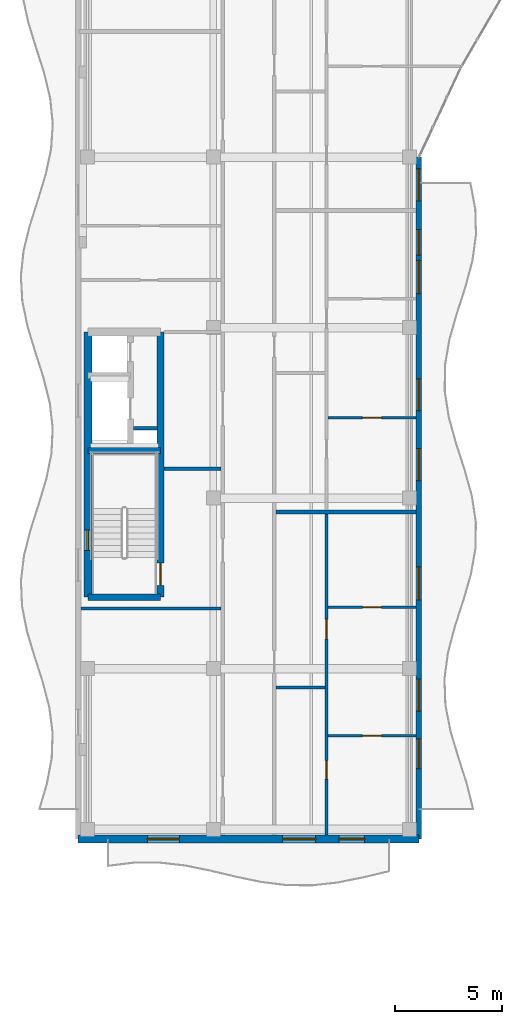
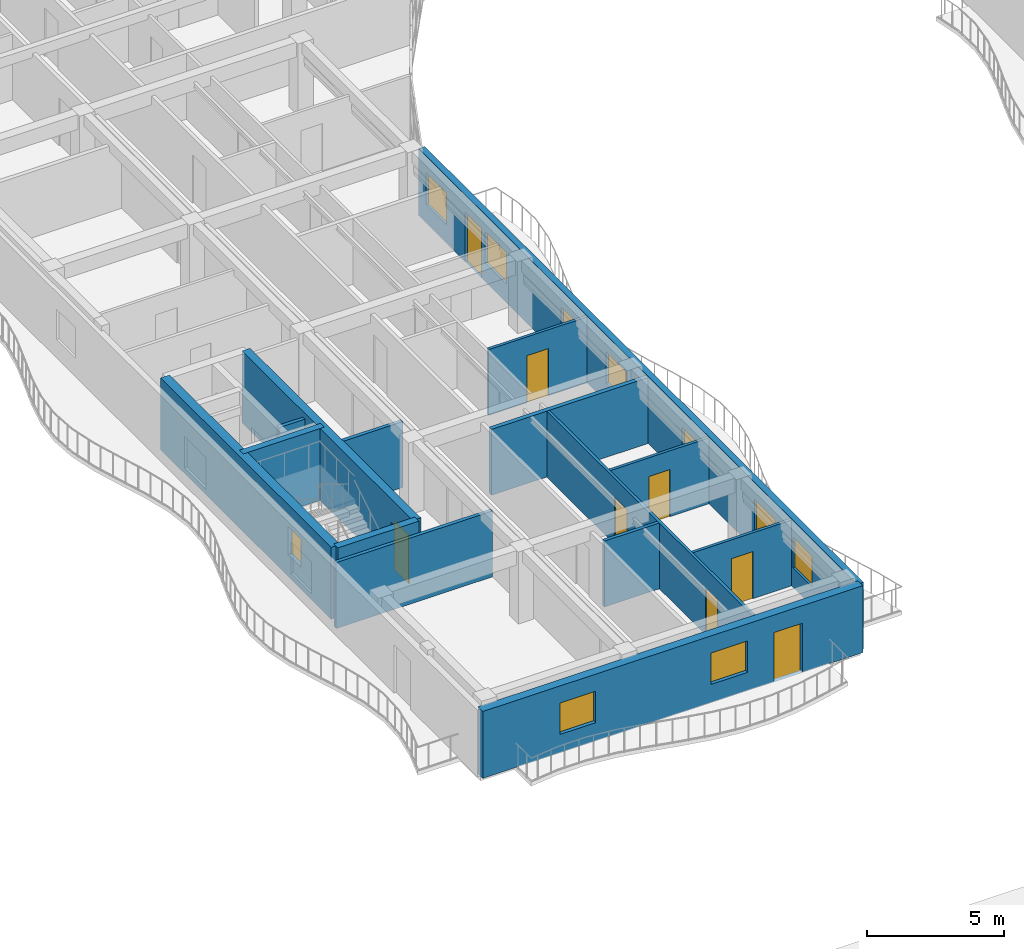
# One storey, part 45 of 89: 15 walls, 10 windows, 8 doors, 18 openings.
"""IFC4 building model written with IfcOpenShell, lengths in metres."""

from ifc_helpers import new_model, si_unit, direction, frame, frame_2d, origin, place, context, subcontext, project, spatial, rectangle, extrude, material, layer, layer_set, type_object, element, fill, save


model = new_model("IFC4")

# Units and contexts
model_context = context("Model", 3, precision=1e-05, world=origin(), true_north=direction((0.0, 1.0)))
body_context = subcontext(model_context, "Body", "Model", "MODEL_VIEW")
ifc_project = project(units=[si_unit("LENGTHUNIT", "METRE"), si_unit("AREAUNIT", "SQUARE_METRE"), si_unit("VOLUMEUNIT", "CUBIC_METRE"), si_unit("PLANEANGLEUNIT", "RADIAN"), si_unit("MASSUNIT", "GRAM", prefix="KILO")], contexts=[model_context])

# Site, building, storey
site_placement = place(None, origin())
site = spatial("IfcSite", under=ifc_project, at=site_placement, CompositionType="ELEMENT")
building_placement = place(site_placement, origin())
building = spatial("IfcBuilding", under=site, at=building_placement, Name="Keldmere Railside Commons", CompositionType="ELEMENT")
storey_placement = place(building_placement, frame((0.0, 0.0, 7.360107421875)))
storey = spatial("IfcBuildingStorey", under=building, at=storey_placement, Name="L02", CompositionType="ELEMENT", Elevation=7.360107421875)

# Wall
ifc_material_1 = material(Name="Acoustic Gypsum Board Partition", Category="gypsum")
ifc_layer_1 = layer(ifc_material_1, 0.179931640625, Name="Acoustic Demising Partition 180")
ifc_layer_set_1 = layer_set([ifc_layer_1], Name="Acoustic Gypsum Board Partition")
wall_type_1 = type_object("IfcWallType", Name="Acoustic Demising Partition 180", PredefinedType="PARTITIONING", material=ifc_layer_set_1)
wall_1_placement = place(storey_placement, frame((17.280029296875, 71.340087890625, 0.0), z_axis=(0.0, 0.0, 1.0), x_axis=(1.0, 0.0, 0.0)))
element("IfcWall", 1, at=wall_1_placement, inside=storey, type_object=wall_type_1, Name="IW-1 IW-L02-0254", PredefinedType="PARTITIONING", context=body_context, shape_type="SweptSolid", body=[
    extrude(rectangle(XDim=6.590087890625, YDim=0.179931640625, at=frame_2d((3.294921875, 0.0))), origin(), (0.0, 0.0, 1.0), 2.934814453125),
])

# Wall, openings, doors
ifc_layer_2 = layer(ifc_material_1, 0.1201171875, Name="Apartment Interior Partition 120")
ifc_layer_set_2 = layer_set([ifc_layer_2], Name="Acoustic Gypsum Board Partition")
wall_type_2 = type_object("IfcWallType", Name="Apartment Interior Partition 120", PredefinedType="PARTITIONING", material=ifc_layer_set_2)
wall_2_placement = place(storey_placement, frame((19.659912109375, 56.179931640625, 0.0), z_axis=(0.0, 0.0, 1.0), x_axis=(0.0, 1.0, 0.0)))
wall_2 = element("IfcWall", 2, at=wall_2_placement, inside=storey, type_object=wall_type_2, Name="IW-4 IW-L02-0257", PredefinedType="PARTITIONING", context=body_context, shape_type="SweptSolid", body=[
    extrude(rectangle(XDim=15.070068359375, YDim=0.1201171875, at=frame_2d((7.53515625, 0.0))), origin(), (0.0, 0.0, 1.0), 2.934814453125),
])
opening_1_placement = place(wall_2_placement, frame((2.63330078125, 0.0, 0.0)))
opening_1 = element("IfcOpeningElement", 3, at=opening_1_placement, cuts=wall_2, Name="Opening ID-04", PredefinedType="OPENING", context=body_context, shape_type="SweptSolid", body=[
    extrude(rectangle(XDim=0.860107421875, YDim=2.10009765625, at=frame_2d((0.43017578125, 1.050048828125))), frame((0.0, 0.070068359375, 0.0), z_axis=(0.0, -1.0, 0.0), x_axis=(1.0, 0.0, 0.0)), (0.0, 0.0, 1.0), 0.14013671875),
])
opening_2_placement = place(wall_2_placement, frame((9.209228515625, 0.0, 0.0)))
opening_2 = element("IfcOpeningElement", 4, at=opening_2_placement, cuts=wall_2, Name="Opening ID-03", PredefinedType="OPENING", context=body_context, shape_type="SweptSolid", body=[
    extrude(rectangle(XDim=0.919921875, YDim=2.10009765625, at=frame_2d((0.4599609375, 1.050048828125))), frame((0.0, 0.070068359375, 0.0), z_axis=(0.0, -1.0, 0.0), x_axis=(1.0, 0.0, 0.0)), (0.0, 0.0, 1.0), 0.14013671875),
])
ifc_material_2 = material(Name="Engineered Oak Timber", Category="wood")
door_type_1 = type_object("IfcDoorType", Name="Apartment Bathroom Door 860x2100", OperationType="NOTDEFINED", PredefinedType="DOOR", material=ifc_material_2)
door_1_placement = place(opening_1_placement, origin())
door_1 = element("IfcDoor", 5, at=door_1_placement, inside=storey, type_object=door_type_1, Name="ID-04 IDR-L02-0160", OperationType="SINGLE_SWING_RIGHT", OverallHeight=2.10009765625, OverallWidth=0.860107421875, PredefinedType="DOOR", context=body_context, shape_type="SweptSolid", body=[
    extrude(rectangle(XDim=0.860107421875, YDim=2.10009765625, at=frame_2d((0.43017578125, 1.050048828125))), frame((0.0, 0.02490234375, 0.0), z_axis=(0.0, -1.0, 0.0), x_axis=(1.0, 0.0, 0.0)), (0.0, 0.0, 1.0), 0.050048828125),
])
fill(opening_1, door_1)
door_type_2 = type_object("IfcDoorType", Name="Kitchen Pocket-Frame Swing Door 920x2100", OperationType="NOTDEFINED", PredefinedType="DOOR", material=ifc_material_2)
door_2_placement = place(opening_2_placement, origin())
door_2 = element("IfcDoor", 6, at=door_2_placement, inside=storey, type_object=door_type_2, Name="ID-03 IDR-L02-0161", OperationType="SINGLE_SWING_LEFT", OverallHeight=2.10009765625, OverallWidth=0.919921875, PredefinedType="DOOR", context=body_context, shape_type="SweptSolid", body=[
    extrude(rectangle(XDim=0.919921875, YDim=2.10009765625, at=frame_2d((0.4599609375, 1.050048828125))), frame((0.0, 0.02490234375, 0.0), z_axis=(0.0, -1.0, 0.0), x_axis=(1.0, 0.0, 0.0)), (0.0, 0.0, 1.0), 0.050048828125),
])
fill(opening_2, door_2)

# Wall, opening, door
wall_3_placement = place(storey_placement, frame((19.719970703125, 60.85009765625, 0.0), z_axis=(0.0, 0.0, 1.0), x_axis=(1.0, 0.0, 0.0)))
wall_3 = element("IfcWall", 7, at=wall_3_placement, inside=storey, type_object=wall_type_2, Name="IW-4 IW-L02-0259", PredefinedType="PARTITIONING", context=body_context, shape_type="SweptSolid", body=[
    extrude(rectangle(XDim=4.150146484375, YDim=0.1201171875, at=frame_2d((2.0751953125, 0.0))), origin(), (0.0, 0.0, 1.0), 2.934814453125),
])
opening_3_placement = place(wall_3_placement, frame((1.625, 0.0, 0.0)))
opening_3 = element("IfcOpeningElement", 8, at=opening_3_placement, cuts=wall_3, Name="Opening ID-01", PredefinedType="OPENING", context=body_context, shape_type="SweptSolid", body=[
    extrude(rectangle(XDim=0.89990234375, YDim=2.10009765625, at=frame_2d((0.449951171875, 1.050048828125))), frame((0.0, 0.070068359375, 0.0), z_axis=(0.0, -1.0, 0.0), x_axis=(1.0, 0.0, 0.0)), (0.0, 0.0, 1.0), 0.14013671875),
])
door_type_3 = type_object("IfcDoorType", Name="Primary Bedroom Door 900x2100", OperationType="NOTDEFINED", PredefinedType="DOOR", material=ifc_material_2)
door_3_placement = place(opening_3_placement, origin())
door_3 = element("IfcDoor", 9, at=door_3_placement, inside=storey, type_object=door_type_3, Name="ID-01 IDR-L02-0163", OperationType="SINGLE_SWING_LEFT", OverallHeight=2.10009765625, OverallWidth=0.89990234375, PredefinedType="DOOR", context=body_context, shape_type="SweptSolid", body=[
    extrude(rectangle(XDim=0.89990234375, YDim=2.10009765625, at=frame_2d((0.449951171875, 1.050048828125))), frame((0.0, 0.02490234375, 0.0), z_axis=(0.0, -1.0, 0.0), x_axis=(1.0, 0.0, 0.0)), (0.0, 0.0, 1.0), 0.050048828125),
])
fill(opening_3, door_3)

wall_4_placement = place(storey_placement, frame((19.719970703125, 66.8798828125, 0.0), z_axis=(0.0, 0.0, 1.0), x_axis=(1.0, 0.0, 0.0)))
wall_4 = element("IfcWall", 10, at=wall_4_placement, inside=storey, type_object=wall_type_2, Name="IW-4 IW-L02-0260", PredefinedType="PARTITIONING", context=body_context, shape_type="SweptSolid", body=[
    extrude(rectangle(XDim=4.150146484375, YDim=0.1201171875, at=frame_2d((2.0751953125, 0.0))), origin(), (0.0, 0.0, 1.0), 2.934814453125),
])
opening_4_placement = place(wall_4_placement, frame((1.635009765625, 0.0, 0.0)))
opening_4 = element("IfcOpeningElement", 11, at=opening_4_placement, cuts=wall_4, Name="Opening ID-02", PredefinedType="OPENING", context=body_context, shape_type="SweptSolid", body=[
    extrude(rectangle(XDim=0.8798828125, YDim=2.10009765625, at=frame_2d((0.43994140625, 1.050048828125))), frame((0.0, 0.070068359375, 0.0), z_axis=(0.0, -1.0, 0.0), x_axis=(1.0, 0.0, 0.0)), (0.0, 0.0, 1.0), 0.14013671875),
])
door_type_4 = type_object("IfcDoorType", Name="Secondary Bedroom Door 880x2100", OperationType="NOTDEFINED", PredefinedType="DOOR", material=ifc_material_2)
door_4_placement = place(opening_4_placement, origin())
door_4 = element("IfcDoor", 12, at=door_4_placement, inside=storey, type_object=door_type_4, Name="ID-02 IDR-L02-0164", OperationType="SINGLE_SWING_RIGHT", OverallHeight=2.10009765625, OverallWidth=0.8798828125, PredefinedType="DOOR", context=body_context, shape_type="SweptSolid", body=[
    extrude(rectangle(XDim=0.8798828125, YDim=2.10009765625, at=frame_2d((0.43994140625, 1.050048828125))), frame((0.0, 0.02490234375, 0.0), z_axis=(0.0, -1.0, 0.0), x_axis=(1.0, 0.0, 0.0)), (0.0, 0.0, 1.0), 0.050048828125),
])
fill(opening_4, door_4)

wall_5_placement = place(storey_placement, frame((19.719970703125, 75.760009765625, 0.0), z_axis=(0.0, 0.0, 1.0), x_axis=(1.0, 0.0, 0.0)))
wall_5 = element("IfcWall", 13, at=wall_5_placement, inside=storey, type_object=wall_type_2, Name="IW-4 IW-L02-0263", PredefinedType="PARTITIONING", context=body_context, shape_type="SweptSolid", body=[
    extrude(rectangle(XDim=4.150146484375, YDim=0.1201171875, at=frame_2d((2.0751953125, 0.0))), origin(), (0.0, 0.0, 1.0), 2.934814453125),
])
opening_5_placement = place(wall_5_placement, frame((1.625, 0.0, 0.0)))
opening_5 = element("IfcOpeningElement", 14, at=opening_5_placement, cuts=wall_5, Name="Opening ID-01", PredefinedType="OPENING", context=body_context, shape_type="SweptSolid", body=[
    extrude(rectangle(XDim=0.89990234375, YDim=2.10009765625, at=frame_2d((0.449951171875, 1.050048828125))), frame((0.0, 0.070068359375, 0.0), z_axis=(0.0, -1.0, 0.0), x_axis=(1.0, 0.0, 0.0)), (0.0, 0.0, 1.0), 0.14013671875),
])
door_5_placement = place(opening_5_placement, origin())
door_5 = element("IfcDoor", 15, at=door_5_placement, inside=storey, type_object=door_type_3, Name="ID-01 IDR-L02-0168", OperationType="SINGLE_SWING_RIGHT", OverallHeight=2.10009765625, OverallWidth=0.89990234375, PredefinedType="DOOR", context=body_context, shape_type="SweptSolid", body=[
    extrude(rectangle(XDim=0.89990234375, YDim=2.10009765625, at=frame_2d((0.449951171875, 1.050048828125))), frame((0.0, 0.02490234375, 0.0), z_axis=(0.0, -1.0, 0.0), x_axis=(1.0, 0.0, 0.0)), (0.0, 0.0, 1.0), 0.050048828125),
])
fill(opening_5, door_5)

# Wall
ifc_material_3 = material(Name="Concrete H-35 (C35/45)", Category="concrete")
ifc_layer_3 = layer(ifc_material_3, 0.280029296875, Name="Core Shear Wall 280")
ifc_layer_set_3 = layer_set([ifc_layer_3], Name="Concrete H-35 (C35/45)")
wall_type_3 = type_object("IfcWallType", Name="Core Shear Wall 280", PredefinedType="SHEAR", material=ifc_layer_set_3)
wall_6_placement = place(storey_placement, frame((8.4599609375, 74.239990234375, 0.0), z_axis=(0.0, 0.0, 1.0), x_axis=(1.0, 0.0, 0.0)))
element("IfcWall", 16, at=wall_6_placement, inside=storey, type_object=wall_type_3, Name="CSW-2 COREDM-L02-0055", PredefinedType="SHEAR", context=body_context, shape_type="SweptSolid", body=[
    extrude(rectangle(XDim=3.41015625, YDim=0.280029296875, at=frame_2d((1.705078125, 0.0))), origin(), (0.0, 0.0, 1.0), 3.199951171875),
])

# Wall, opening, window
ifc_material_4 = material(Name="Concrete H-40 (C40/50)", Category="concrete")
ifc_layer_4 = layer(ifc_material_4, 0.3798828125, Name="Core Shear Wall 380")
ifc_layer_set_4 = layer_set([ifc_layer_4], Name="Concrete H-40 (C40/50)")
wall_type_4 = type_object("IfcWallType", Name="Core Shear Wall 380", PredefinedType="SHEAR", material=ifc_layer_set_4)
wall_7_placement = place(storey_placement, frame((8.4599609375, 67.35009765625, 0.0), z_axis=(0.0, 0.0, 1.0), x_axis=(0.0, 1.0, 0.0)))
wall_7 = element("IfcWall", 17, at=wall_7_placement, inside=storey, type_object=wall_type_4, Name="CW-CORE COREDW-L02-0051", PredefinedType="SHEAR", context=body_context, shape_type="SweptSolid", body=[
    extrude(rectangle(XDim=12.449951171875, YDim=0.3798828125, at=frame_2d((6.22509765625, 0.0))), origin(), (0.0, 0.0, 1.0), 3.199951171875),
])
opening_6_placement = place(wall_7_placement, frame((2.199951171875, 0.0, 0.969970703125)))
opening_6 = element("IfcOpeningElement", 18, at=opening_6_placement, cuts=wall_7, Name="Opening WN-17", PredefinedType="OPENING", context=body_context, shape_type="SweptSolid", body=[
    extrude(rectangle(XDim=0.949951171875, YDim=1.25, at=frame_2d((0.47509765625, 0.625))), frame((0.0, 0.199951171875, 0.0), z_axis=(0.0, -1.0, 0.0), x_axis=(1.0, 0.0, 0.0)), (0.0, 0.0, 1.0), 0.39990234375),
])
ifc_material_5 = material(Name="Low-E Insulated Double Glazing", Category="glass")
window_type_1 = type_object("IfcWindowType", Name="Stair Core Natural Smoke-Vent Window 950x1250", PartitioningType="SINGLE_PANEL", PredefinedType="WINDOW", material=ifc_material_5)
window_1_placement = place(opening_6_placement, origin())
window_1 = element("IfcWindow", 19, at=window_1_placement, inside=storey, type_object=window_type_1, Name="WN-17 WIN-L02-0009", OverallHeight=1.25, OverallWidth=0.949951171875, PartitioningType="SINGLE_PANEL", PredefinedType="WINDOW", context=body_context, shape_type="SweptSolid", body=[
    extrude(rectangle(XDim=0.949951171875, YDim=1.25, at=frame_2d((0.47509765625, 0.625))), frame((0.0, 0.030029296875, 0.0), z_axis=(0.0, -1.0, 0.0), x_axis=(1.0, 0.0, 0.0)), (0.0, 0.0, 1.0), 0.06005859375),
])
fill(opening_6, window_1)

# Wall, openings, door, windows
ifc_layer_5 = layer(ifc_material_3, 0.360107421875, Name="Exterior Shear Wall 360")
ifc_layer_set_5 = layer_set([ifc_layer_5], Name="Concrete H-35 (C35/45)")
wall_type_5 = type_object("IfcWallType", Name="Exterior Shear Wall 360", PredefinedType="SHEAR", material=ifc_layer_set_5)
wall_8_placement = place(storey_placement, frame((24.0, 56.0, 0.0), z_axis=(0.0, 0.0, 1.0), x_axis=(-1.0, 0.0, 0.0)))
wall_8 = element("IfcWall", 20, at=wall_8_placement, inside=storey, type_object=wall_type_5, Name="ESW-1 EXTD-L02-0136", PredefinedType="SHEAR", context=body_context, shape_type="SweptSolid", body=[
    extrude(rectangle(XDim=16.0, YDim=0.360107421875, at=frame_2d((8.0, 0.0))), origin(), (0.0, 0.0, 1.0), 2.97998046875),
])
opening_7_placement = place(wall_8_placement, frame((2.550048828125, 0.0, 0.0)))
opening_7 = element("IfcOpeningElement", 21, at=opening_7_placement, cuts=wall_8, Name="Opening BD-01", PredefinedType="OPENING", context=body_context, shape_type="SweptSolid", body=[
    extrude(rectangle(XDim=1.199951171875, YDim=2.199951171875, at=frame_2d((0.60009765625, 1.10009765625))), frame((0.0, 0.18994140625, 0.0), z_axis=(0.0, -1.0, 0.0), x_axis=(1.0, 0.0, 0.0)), (0.0, 0.0, 1.0), 0.380126953125),
])
opening_8_placement = place(wall_8_placement, frame((4.85009765625, 0.0, 0.820068359375)))
opening_8 = element("IfcOpeningElement", 22, at=opening_8_placement, cuts=wall_8, Name="Opening WN-07", PredefinedType="OPENING", context=body_context, shape_type="SweptSolid", body=[
    extrude(rectangle(XDim=1.550048828125, YDim=1.39990234375, at=frame_2d((0.77490234375, 0.699951171875))), frame((0.0, 0.18994140625, 0.0), z_axis=(0.0, -1.0, 0.0), x_axis=(1.0, 0.0, 0.0)), (0.0, 0.0, 1.0), 0.380126953125),
])
opening_9_placement = place(wall_8_placement, frame((11.25, 0.0, 0.820068359375)))
opening_9 = element("IfcOpeningElement", 23, at=opening_9_placement, cuts=wall_8, Name="Opening WN-06", PredefinedType="OPENING", context=body_context, shape_type="SweptSolid", body=[
    extrude(rectangle(XDim=1.5, YDim=1.39990234375, at=frame_2d((0.75, 0.699951171875))), frame((0.0, 0.18994140625, 0.0), z_axis=(0.0, -1.0, 0.0), x_axis=(1.0, 0.0, 0.0)), (0.0, 0.0, 1.0), 0.380126953125),
])
ifc_material_6 = material(Name="Thermally Broken Aluminium", Category="aluminium")
door_type_5 = type_object("IfcDoorType", Name="Apartment Living Wave-Balcony Glazed Door 1200x2200", OperationType="NOTDEFINED", PredefinedType="DOOR", material=ifc_material_6)
door_6_placement = place(opening_7_placement, origin())
door_6 = element("IfcDoor", 24, at=door_6_placement, inside=storey, type_object=door_type_5, Name="BD-01 DR-L02-0013", OperationType="SINGLE_SWING_LEFT", OverallHeight=2.199951171875, OverallWidth=1.199951171875, PredefinedType="DOOR", context=body_context, shape_type="SweptSolid", body=[
    extrude(rectangle(XDim=1.199951171875, YDim=2.199951171875, at=frame_2d((0.60009765625, 1.10009765625))), frame((0.0, 0.02490234375, 0.0), z_axis=(0.0, -1.0, 0.0), x_axis=(1.0, 0.0, 0.0)), (0.0, 0.0, 1.0), 0.050048828125),
])
fill(opening_7, door_6)
window_type_2 = type_object("IfcWindowType", Name="Primary Bedroom North Window 1500x1400", PartitioningType="SINGLE_PANEL", PredefinedType="WINDOW", material=ifc_material_5)
window_2_placement = place(opening_9_placement, origin())
window_2 = element("IfcWindow", 25, at=window_2_placement, inside=storey, type_object=window_type_2, Name="WN-06 WIN-L02-0047", OverallHeight=1.39990234375, OverallWidth=1.5, PartitioningType="SINGLE_PANEL", PredefinedType="WINDOW", context=body_context, shape_type="SweptSolid", body=[
    extrude(rectangle(XDim=1.5, YDim=1.39990234375, at=frame_2d((0.75, 0.699951171875))), frame((0.0, 0.030029296875, 0.0), z_axis=(0.0, -1.0, 0.0), x_axis=(1.0, 0.0, 0.0)), (0.0, 0.0, 1.0), 0.06005859375),
])
fill(opening_9, window_2)
window_type_3 = type_object("IfcWindowType", Name="Primary Bedroom South Window 1550x1400", PartitioningType="SINGLE_PANEL", PredefinedType="WINDOW", material=ifc_material_5)
window_3_placement = place(opening_8_placement, origin())
window_3 = element("IfcWindow", 26, at=window_3_placement, inside=storey, type_object=window_type_3, Name="WN-07 WIN-L02-0046", OverallHeight=1.39990234375, OverallWidth=1.550048828125, PartitioningType="SINGLE_PANEL", PredefinedType="WINDOW", context=body_context, shape_type="SweptSolid", body=[
    extrude(rectangle(XDim=1.550048828125, YDim=1.39990234375, at=frame_2d((0.77490234375, 0.699951171875))), frame((0.0, 0.030029296875, 0.0), z_axis=(0.0, -1.0, 0.0), x_axis=(1.0, 0.0, 0.0)), (0.0, 0.0, 1.0), 0.06005859375),
])
fill(opening_8, window_3)

# Wall
ifc_layer_6 = layer(ifc_material_3, 0.300048828125, Name="Interior Shear Wall 300")
ifc_layer_set_6 = layer_set([ifc_layer_6], Name="Concrete H-35 (C35/45)")
wall_type_6 = type_object("IfcWallType", Name="Interior Shear Wall 300", PredefinedType="SHEAR", material=ifc_layer_set_6)
wall_9_placement = place(storey_placement, frame((11.8701171875, 67.35009765625, 0.0), z_axis=(0.0, 0.0, 1.0), x_axis=(-1.0, 0.0, 0.0)))
element("IfcWall", 27, at=wall_9_placement, inside=storey, type_object=wall_type_6, Name="ISW-2 COREDS-L02-0054", PredefinedType="SHEAR", context=body_context, shape_type="SweptSolid", body=[
    extrude(rectangle(XDim=3.41015625, YDim=0.300048828125, at=frame_2d((1.705078125, 0.0))), origin(), (0.0, 0.0, 1.0), 3.199951171875),
])

# Wall, opening, door
ifc_layer_7 = layer(ifc_material_3, 0.340087890625, Name="Interior Shear Wall 340")
ifc_layer_set_7 = layer_set([ifc_layer_7], Name="Concrete H-35 (C35/45)")
wall_type_7 = type_object("IfcWallType", Name="Interior Shear Wall 340", PredefinedType="SHEAR", material=ifc_layer_set_7)
wall_10_placement = place(storey_placement, frame((11.8701171875, 79.800048828125, 0.0), z_axis=(0.0, 0.0, 1.0), x_axis=(0.0, -1.0, 0.0)))
wall_10 = element("IfcWall", 28, at=wall_10_placement, inside=storey, type_object=wall_type_7, Name="ISW-1 COREDE-L02-0053", PredefinedType="SHEAR", context=body_context, shape_type="SweptSolid", body=[
    extrude(rectangle(XDim=12.449951171875, YDim=0.340087890625, at=frame_2d((6.22509765625, 0.0))), origin(), (0.0, 0.0, 1.0), 3.199951171875),
])
opening_10_placement = place(wall_10_placement, frame((10.85009765625, 0.0, 0.0)))
opening_10 = element("IfcOpeningElement", 29, at=opening_10_placement, cuts=wall_10, Name="Opening FD-1", PredefinedType="OPENING", context=body_context, shape_type="SweptSolid", body=[
    extrude(rectangle(XDim=1.050048828125, YDim=2.14990234375, at=frame_2d((0.52490234375, 1.074951171875))), frame((0.0, 0.179931640625, 0.0), z_axis=(0.0, -1.0, 0.0), x_axis=(1.0, 0.0, 0.0)), (0.0, 0.0, 1.0), 0.360107421875),
])
ifc_material_7 = material(Name="Steel F-24 (S235)", Category="steel")
door_type_6 = type_object("IfcDoorType", Name="Stair Core Fire Door 1050x2150", OperationType="NOTDEFINED", PredefinedType="DOOR", material=ifc_material_7)
door_7_placement = place(opening_10_placement, origin())
door_7 = element("IfcDoor", 30, at=door_7_placement, inside=storey, type_object=door_type_6, Name="FD-1 D1 L02", OperationType="SINGLE_SWING_LEFT", OverallHeight=2.14990234375, OverallWidth=1.050048828125, PredefinedType="DOOR", context=body_context, shape_type="SweptSolid", body=[
    extrude(rectangle(XDim=1.050048828125, YDim=2.14990234375, at=frame_2d((0.52490234375, 1.074951171875))), frame((0.0, 0.02490234375, 0.0), z_axis=(0.0, -1.0, 0.0), x_axis=(1.0, 0.0, 0.0)), (0.0, 0.0, 1.0), 0.050048828125),
])
fill(opening_10, door_7)

# Walls
ifc_layer_8 = layer(ifc_material_1, 0.14990234375, Name="Lobby Rated Partition 150")
ifc_layer_set_8 = layer_set([ifc_layer_8], Name="Acoustic Gypsum Board Partition")
wall_type_8 = type_object("IfcWallType", Name="Lobby Rated Partition 150", PredefinedType="PARTITIONING", material=ifc_layer_set_8)
wall_11_placement = place(storey_placement, frame((10.60009765625, 75.280029296875, 0.0), z_axis=(0.0, 0.0, 1.0), x_axis=(1.0, 0.0, 0.0)))
element("IfcWall", 31, at=wall_11_placement, inside=storey, type_object=wall_type_8, Name="IW-3 RSRND-L02-0058", PredefinedType="PARTITIONING", context=body_context, shape_type="SweptSolid", body=[
    extrude(rectangle(XDim=1.1298828125, YDim=0.14990234375, at=frame_2d((0.56494140625, 0.0))), origin(), (0.0, 0.0, 1.0), 2.949951171875),
])
wall_12_placement = place(storey_placement, frame((8.1298828125, 66.820068359375, 0.0), z_axis=(0.0, 0.0, 1.0), x_axis=(1.0, 0.0, 0.0)))
element("IfcWall", 32, at=wall_12_placement, inside=storey, type_object=wall_type_8, Name="IW-3 IW-L02-0243", PredefinedType="PARTITIONING", context=body_context, shape_type="SweptSolid", body=[
    extrude(rectangle(XDim=6.590087890625, YDim=0.14990234375, at=frame_2d((3.294921875, 0.0))), origin(), (0.0, 0.0, 1.0), 2.934814453125),
])
wall_13_placement = place(storey_placement, frame((12.0400390625, 73.3798828125, 0.0), z_axis=(0.0, 0.0, 1.0), x_axis=(1.0, 0.0, 0.0)))
element("IfcWall", 33, at=wall_13_placement, inside=storey, type_object=wall_type_8, Name="IW-3 IW-L02-0244", PredefinedType="PARTITIONING", context=body_context, shape_type="SweptSolid", body=[
    extrude(rectangle(XDim=2.679931640625, YDim=0.14990234375, at=frame_2d((1.33984375, 0.0))), origin(), (0.0, 0.0, 1.0), 2.934814453125),
])

# Wall, openings, door, windows
ifc_material_8 = material(Name="Terracotta Brick Masonry", Category="masonry")
ifc_layer_9 = layer(ifc_material_8, 0.260009765625, Name="Terracotta Cavity Wall 260")
ifc_layer_set_9 = layer_set([ifc_layer_9], Name="Terracotta Brick Masonry")
wall_type_9 = type_object("IfcWallType", Name="Terracotta Cavity Wall 260", PredefinedType="SOLIDWALL", material=ifc_layer_set_9)
wall_14_placement = place(storey_placement, frame((24.0, 88.0, 0.0), z_axis=(0.0, 0.0, 1.0), x_axis=(0.0, -1.0, 0.0)))
wall_14 = element("IfcWall", 34, at=wall_14_placement, inside=storey, type_object=wall_type_9, Name="EW-1 EXTD-L02-0137", PredefinedType="SOLIDWALL", context=body_context, shape_type="SweptSolid", body=[
    extrude(rectangle(XDim=32.0, YDim=0.260009765625, at=frame_2d((16.0, 0.0))), origin(), (0.0, 0.0, 1.0), 2.97998046875),
])
opening_11_placement = place(wall_14_placement, frame((3.39990234375, 0.0, 0.0)))
opening_11 = element("IfcOpeningElement", 35, at=opening_11_placement, cuts=wall_14, Name="Opening BD-01", PredefinedType="OPENING", context=body_context, shape_type="SweptSolid", body=[
    extrude(rectangle(XDim=1.199951171875, YDim=2.199951171875, at=frame_2d((0.60009765625, 1.10009765625))), frame((0.0, 0.139892578125, 0.0), z_axis=(0.0, -1.0, 0.0), x_axis=(1.0, 0.0, 0.0)), (0.0, 0.0, 1.0), 0.280029296875),
])
opening_12_placement = place(wall_14_placement, frame((4.85009765625, 0.0, 0.820068359375)))
opening_12 = element("IfcOpeningElement", 36, at=opening_12_placement, cuts=wall_14, Name="Opening WN-07", PredefinedType="OPENING", context=body_context, shape_type="SweptSolid", body=[
    extrude(rectangle(XDim=1.550048828125, YDim=1.39990234375, at=frame_2d((0.77490234375, 0.699951171875))), frame((0.0, 0.139892578125, 0.0), z_axis=(0.0, -1.0, 0.0), x_axis=(1.0, 0.0, 0.0)), (0.0, 0.0, 1.0), 0.280029296875),
])
opening_13_placement = place(wall_14_placement, frame((10.39990234375, 0.0, 0.820068359375)))
opening_13 = element("IfcOpeningElement", 37, at=opening_13_placement, cuts=wall_14, Name="Opening WN-06", PredefinedType="OPENING", context=body_context, shape_type="SweptSolid", body=[
    extrude(rectangle(XDim=1.5, YDim=1.39990234375, at=frame_2d((0.75, 0.699951171875))), frame((0.0, 0.139892578125, 0.0), z_axis=(0.0, -1.0, 0.0), x_axis=(1.0, 0.0, 0.0)), (0.0, 0.0, 1.0), 0.280029296875),
])
opening_14_placement = place(wall_14_placement, frame((19.22509765625, 0.0, 0.820068359375)))
opening_14 = element("IfcOpeningElement", 38, at=opening_14_placement, cuts=wall_14, Name="Opening WN-07", PredefinedType="OPENING", context=body_context, shape_type="SweptSolid", body=[
    extrude(rectangle(XDim=1.550048828125, YDim=1.39990234375, at=frame_2d((0.77490234375, 0.699951171875))), frame((0.0, 0.139892578125, 0.0), z_axis=(0.0, -1.0, 0.0), x_axis=(1.0, 0.0, 0.0)), (0.0, 0.0, 1.0), 0.280029296875),
])
opening_15_placement = place(wall_14_placement, frame((27.300048828125, 0.0, 0.8701171875)))
opening_15 = element("IfcOpeningElement", 39, at=opening_15_placement, cuts=wall_14, Name="Opening WN-08", PredefinedType="OPENING", context=body_context, shape_type="SweptSolid", body=[
    extrude(rectangle(XDim=1.39990234375, YDim=1.35009765625, at=frame_2d((0.699951171875, 0.675048828125))), frame((0.0, 0.139892578125, 0.0), z_axis=(0.0, -1.0, 0.0), x_axis=(1.0, 0.0, 0.0)), (0.0, 0.0, 1.0), 0.280029296875),
])
opening_16_placement = place(wall_14_placement, frame((24.49267578125, 0.0, 0.820068359375)))
opening_16 = element("IfcOpeningElement", 40, at=opening_16_placement, cuts=wall_14, Name="Opening WN-06", PredefinedType="OPENING", context=body_context, shape_type="SweptSolid", body=[
    extrude(rectangle(XDim=1.5, YDim=1.39990234375, at=frame_2d((0.75, 0.699951171875))), frame((0.0, 0.139892578125, 0.0), z_axis=(0.0, -1.0, 0.0), x_axis=(1.0, 0.0, 0.0)), (0.0, 0.0, 1.0), 0.280029296875),
])
opening_17_placement = place(wall_14_placement, frame((13.679931640625, 0.0, 0.820068359375)))
opening_17 = element("IfcOpeningElement", 41, at=opening_17_placement, cuts=wall_14, Name="Opening WN-06", PredefinedType="OPENING", context=body_context, shape_type="SweptSolid", body=[
    extrude(rectangle(XDim=1.5, YDim=1.39990234375, at=frame_2d((0.75, 0.699951171875))), frame((0.0, 0.139892578125, 0.0), z_axis=(0.0, -1.0, 0.0), x_axis=(1.0, 0.0, 0.0)), (0.0, 0.0, 1.0), 0.280029296875),
])
opening_18_placement = place(wall_14_placement, frame((0.550048828125, 0.0, 0.820068359375)))
opening_18 = element("IfcOpeningElement", 42, at=opening_18_placement, cuts=wall_14, Name="Opening WN-06", PredefinedType="OPENING", context=body_context, shape_type="SweptSolid", body=[
    extrude(rectangle(XDim=1.5, YDim=1.39990234375, at=frame_2d((0.75, 0.699951171875))), frame((0.0, 0.139892578125, 0.0), z_axis=(0.0, -1.0, 0.0), x_axis=(1.0, 0.0, 0.0)), (0.0, 0.0, 1.0), 0.280029296875),
])
door_8_placement = place(opening_11_placement, origin())
door_8 = element("IfcDoor", 43, at=door_8_placement, inside=storey, type_object=door_type_5, Name="BD-01 DR-L02-0014", OperationType="SINGLE_SWING_RIGHT", OverallHeight=2.199951171875, OverallWidth=1.199951171875, PredefinedType="DOOR", context=body_context, shape_type="SweptSolid", body=[
    extrude(rectangle(XDim=1.199951171875, YDim=2.199951171875, at=frame_2d((0.60009765625, 1.10009765625))), frame((0.0, 0.02490234375, 0.0), z_axis=(0.0, -1.0, 0.0), x_axis=(1.0, 0.0, 0.0)), (0.0, 0.0, 1.0), 0.050048828125),
])
fill(opening_11, door_8)
window_type_4 = type_object("IfcWindowType", Name="Primary Bedroom East/West Window 1400x1350", PartitioningType="SINGLE_PANEL", PredefinedType="WINDOW", material=ifc_material_5)
window_4_placement = place(opening_15_placement, origin())
window_4 = element("IfcWindow", 44, at=window_4_placement, inside=storey, type_object=window_type_4, Name="WN-08 WIN-L02-0051", OverallHeight=1.35009765625, OverallWidth=1.39990234375, PartitioningType="SINGLE_PANEL", PredefinedType="WINDOW", context=body_context, shape_type="SweptSolid", body=[
    extrude(rectangle(XDim=1.39990234375, YDim=1.35009765625, at=frame_2d((0.699951171875, 0.675048828125))), frame((0.0, 0.030029296875, 0.0), z_axis=(0.0, -1.0, 0.0), x_axis=(1.0, 0.0, 0.0)), (0.0, 0.0, 1.0), 0.06005859375),
])
fill(opening_15, window_4)
window_5_placement = place(opening_13_placement, origin())
window_5 = element("IfcWindow", 45, at=window_5_placement, inside=storey, type_object=window_type_2, Name="WN-06 WIN-L02-0049", OverallHeight=1.39990234375, OverallWidth=1.5, PartitioningType="SINGLE_PANEL", PredefinedType="WINDOW", context=body_context, shape_type="SweptSolid", body=[
    extrude(rectangle(XDim=1.5, YDim=1.39990234375, at=frame_2d((0.75, 0.699951171875))), frame((0.0, 0.030029296875, 0.0), z_axis=(0.0, -1.0, 0.0), x_axis=(1.0, 0.0, 0.0)), (0.0, 0.0, 1.0), 0.06005859375),
])
fill(opening_13, window_5)
window_6_placement = place(opening_16_placement, origin())
window_6 = element("IfcWindow", 46, at=window_6_placement, inside=storey, type_object=window_type_2, Name="WN-06 WIN-L02-9010", OverallHeight=1.39990234375, OverallWidth=1.5, PartitioningType="SINGLE_PANEL", PredefinedType="WINDOW", context=body_context, shape_type="SweptSolid", body=[
    extrude(rectangle(XDim=1.5, YDim=1.39990234375, at=frame_2d((0.75, 0.699951171875))), frame((0.0, 0.030029296875, 0.0), z_axis=(0.0, -1.0, 0.0), x_axis=(1.0, 0.0, 0.0)), (0.0, 0.0, 1.0), 0.06005859375),
])
fill(opening_16, window_6)
window_7_placement = place(opening_17_placement, origin())
window_7 = element("IfcWindow", 47, at=window_7_placement, inside=storey, type_object=window_type_2, Name="WN-06 WIN-L02-9011", OverallHeight=1.39990234375, OverallWidth=1.5, PartitioningType="SINGLE_PANEL", PredefinedType="WINDOW", context=body_context, shape_type="SweptSolid", body=[
    extrude(rectangle(XDim=1.5, YDim=1.39990234375, at=frame_2d((0.75, 0.699951171875))), frame((0.0, 0.030029296875, 0.0), z_axis=(0.0, -1.0, 0.0), x_axis=(1.0, 0.0, 0.0)), (0.0, 0.0, 1.0), 0.06005859375),
])
fill(opening_17, window_7)
window_8_placement = place(opening_18_placement, origin())
window_8 = element("IfcWindow", 48, at=window_8_placement, inside=storey, type_object=window_type_2, Name="WN-06 WIN-L02-9012", OverallHeight=1.39990234375, OverallWidth=1.5, PartitioningType="SINGLE_PANEL", PredefinedType="WINDOW", context=body_context, shape_type="SweptSolid", body=[
    extrude(rectangle(XDim=1.5, YDim=1.39990234375, at=frame_2d((0.75, 0.699951171875))), frame((0.0, 0.030029296875, 0.0), z_axis=(0.0, -1.0, 0.0), x_axis=(1.0, 0.0, 0.0)), (0.0, 0.0, 1.0), 0.06005859375),
])
fill(opening_18, window_8)
window_9_placement = place(opening_12_placement, origin())
window_9 = element("IfcWindow", 49, at=window_9_placement, inside=storey, type_object=window_type_3, Name="WN-07 WIN-L02-0048", OverallHeight=1.39990234375, OverallWidth=1.550048828125, PartitioningType="SINGLE_PANEL", PredefinedType="WINDOW", context=body_context, shape_type="SweptSolid", body=[
    extrude(rectangle(XDim=1.550048828125, YDim=1.39990234375, at=frame_2d((0.77490234375, 0.699951171875))), frame((0.0, 0.030029296875, 0.0), z_axis=(0.0, -1.0, 0.0), x_axis=(1.0, 0.0, 0.0)), (0.0, 0.0, 1.0), 0.06005859375),
])
fill(opening_12, window_9)
window_10_placement = place(opening_14_placement, origin())
window_10 = element("IfcWindow", 50, at=window_10_placement, inside=storey, type_object=window_type_3, Name="WN-07 WIN-L02-0050", OverallHeight=1.39990234375, OverallWidth=1.550048828125, PartitioningType="SINGLE_PANEL", PredefinedType="WINDOW", context=body_context, shape_type="SweptSolid", body=[
    extrude(rectangle(XDim=1.550048828125, YDim=1.39990234375, at=frame_2d((0.77490234375, 0.699951171875))), frame((0.0, 0.030029296875, 0.0), z_axis=(0.0, -1.0, 0.0), x_axis=(1.0, 0.0, 0.0)), (0.0, 0.0, 1.0), 0.06005859375),
])
fill(opening_14, window_10)

# Wall
ifc_layer_10 = layer(ifc_material_1, 0.139892578125, Name="Wet-Room Sanitary Partition 140")
ifc_layer_set_10 = layer_set([ifc_layer_10], Name="Acoustic Gypsum Board Partition")
wall_type_10 = type_object("IfcWallType", Name="Wet-Room Sanitary Partition 140", PredefinedType="PARTITIONING", material=ifc_layer_set_10)
wall_15_placement = place(storey_placement, frame((17.280029296875, 63.110107421875, 0.0), z_axis=(0.0, 0.0, 1.0), x_axis=(1.0, 0.0, 0.0)))
element("IfcWall", 51, at=wall_15_placement, inside=storey, type_object=wall_type_10, Name="IW-5 IW-L02-0258", PredefinedType="PARTITIONING", context=body_context, shape_type="SweptSolid", body=[
    extrude(rectangle(XDim=2.320068359375, YDim=0.139892578125, at=frame_2d((1.16015625, 0.0))), origin(), (0.0, 0.0, 1.0), 2.934814453125),
])

save(model, "model.ifc")
